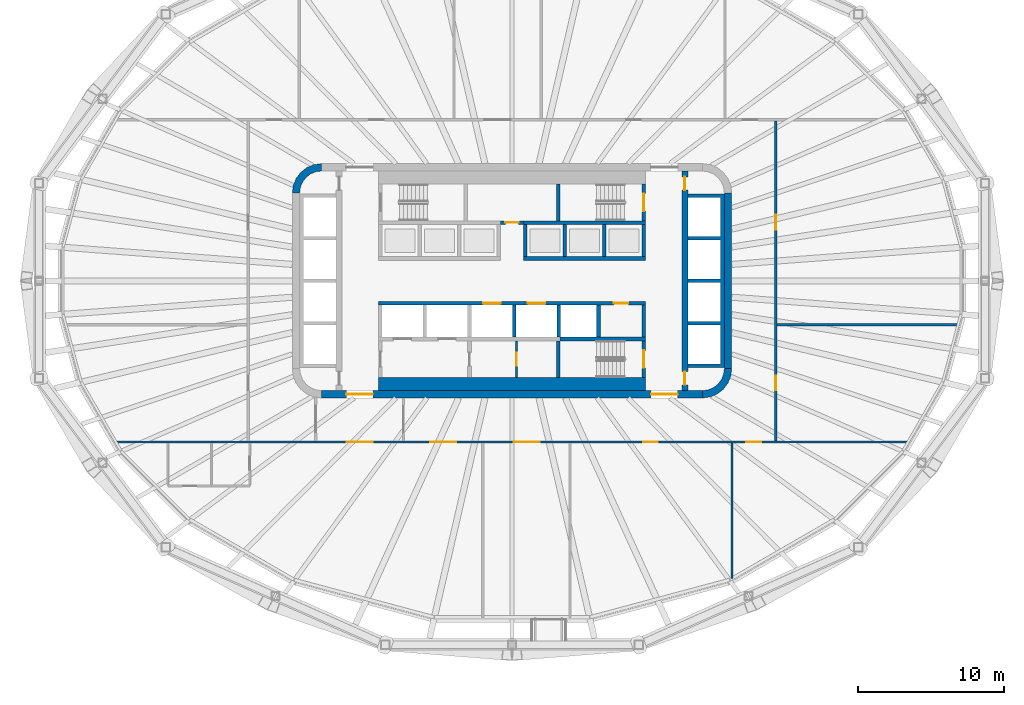
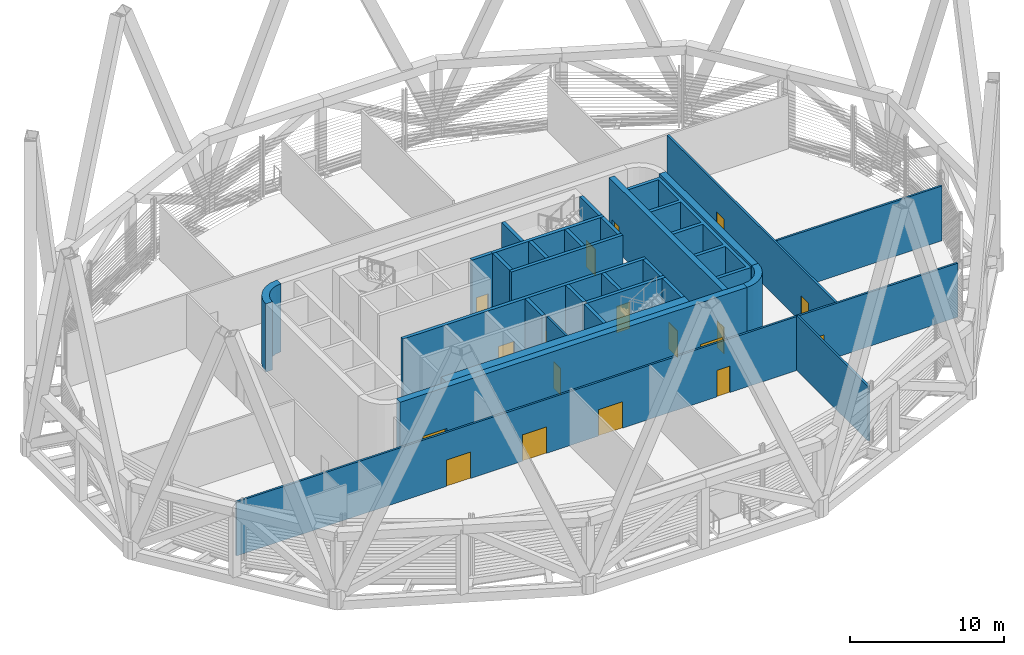
# One storey, part 7 of 18: 29 walls, 18 doors, 18 openings.
"""IFC4 building model written with IfcOpenShell, lengths in metres."""

from ifc_helpers import new_model, si_unit, direction, frame, frame_2d, origin, place, context, subcontext, project, spatial, polyline, rectangle, outline, extrude, material, layer, layer_set, type_object, element, fill, save


model = new_model("IFC4")

# Units and contexts
model_context = context("Model", 3, precision=1e-05, world=origin(), true_north=direction((0.0, 1.0)))
body_context = subcontext(model_context, "Body", "Model", "MODEL_VIEW")
ifc_project = project(units=[si_unit("LENGTHUNIT", "METRE"), si_unit("AREAUNIT", "SQUARE_METRE"), si_unit("VOLUMEUNIT", "CUBIC_METRE"), si_unit("PLANEANGLEUNIT", "RADIAN"), si_unit("MASSUNIT", "GRAM", prefix="KILO")], contexts=[model_context])

# Site, building, storey
site_placement = place(None, origin())
site = spatial("IfcSite", under=ifc_project, at=site_placement, CompositionType="ELEMENT")
building_placement = place(site_placement, origin())
building = spatial("IfcBuilding", under=site, at=building_placement, Name="Sahrelin Media Tower", CompositionType="ELEMENT")
storey_placement = place(building_placement, frame((0.0, 0.0, 197.60009765625)))
storey = spatial("IfcBuildingStorey", under=building, at=storey_placement, Name="L42", CompositionType="ELEMENT", Elevation=197.60009765625)

# Wall, openings, doors
ifc_material_1 = material(Name="Concrete C60/75", Category="concrete")
ifc_layer_1 = layer(ifc_material_1, 0.5)
ifc_layer_set_1 = layer_set([ifc_layer_1], Name="Core wall 500")
wall_type_1 = type_object("IfcWallType", Name="Core wall 500", PredefinedType="SHEAR", material=ifc_layer_set_1)
wall_1_placement = place(storey_placement, frame((-13.0, -7.75, 0.0), z_axis=(0.0, 0.0, 1.0), x_axis=(1.0, 0.0, 0.0)))
wall_1 = element("IfcWall", 1, at=wall_1_placement, inside=storey, type_object=wall_type_1, Name="Core wall S L42", PredefinedType="SHEAR", context=body_context, shape_type="SweptSolid", body=[
    extrude(rectangle(XDim=26.0, YDim=0.5, at=frame_2d((13.0, 0.0))), origin(), (0.0, 0.0, 1.0), 5.39990234375),
])
opening_1_placement = place(wall_1_placement, frame((1.699951171875, 0.0, 0.0)))
opening_1 = element("IfcOpeningElement", 2, at=opening_1_placement, cuts=wall_1, Name="Opening L42-D15", PredefinedType="OPENING", context=body_context, shape_type="SweptSolid", body=[
    extrude(rectangle(XDim=1.800048828125, YDim=2.10009765625, at=frame_2d((0.89990234375, 1.050048828125))), frame((0.0, 0.25, 0.0), z_axis=(0.0, -1.0, 0.0), x_axis=(1.0, 0.0, 0.0)), (0.0, 0.0, 1.0), 0.5),
])
opening_2_placement = place(wall_1_placement, frame((22.5, 0.0, 0.0)))
opening_2 = element("IfcOpeningElement", 3, at=opening_2_placement, cuts=wall_1, Name="Opening L42-D16", PredefinedType="OPENING", context=body_context, shape_type="SweptSolid", body=[
    extrude(rectangle(XDim=1.800048828125, YDim=2.10009765625, at=frame_2d((0.89990234375, 1.050048828125))), frame((0.0, 0.25, 0.0), z_axis=(0.0, -1.0, 0.0), x_axis=(1.0, 0.0, 0.0)), (0.0, 0.0, 1.0), 0.5),
])
ifc_material_2 = material(Name="Steel fire door leaf", Category="steel")
door_type_1 = type_object("IfcDoorType", Name="Lobby double door 1800 x 2100 EI 60", OperationType="DOUBLE_DOOR_SINGLE_SWING", PredefinedType="DOOR", material=ifc_material_2)
door_1_placement = place(opening_1_placement, origin())
door_1 = element("IfcDoor", 4, at=door_1_placement, inside=storey, type_object=door_type_1, Name="Lobby door", OperationType="DOUBLE_DOOR_SINGLE_SWING", OverallHeight=2.10009765625, OverallWidth=1.800048828125, PredefinedType="DOOR", context=body_context, shape_type="SweptSolid", body=[
    extrude(rectangle(XDim=1.800048828125, YDim=2.10009765625, at=frame_2d((0.89990234375, 1.050048828125))), frame((0.0, 0.02490234375, 0.0), z_axis=(0.0, -1.0, 0.0), x_axis=(1.0, 0.0, 0.0)), (0.0, 0.0, 1.0), 0.050048828125),
])
fill(opening_1, door_1)
door_2_placement = place(opening_2_placement, origin())
door_2 = element("IfcDoor", 5, at=door_2_placement, inside=storey, type_object=door_type_1, Name="Lobby door", OperationType="DOUBLE_DOOR_SINGLE_SWING", OverallHeight=2.10009765625, OverallWidth=1.800048828125, PredefinedType="DOOR", context=body_context, shape_type="SweptSolid", body=[
    extrude(rectangle(XDim=1.800048828125, YDim=2.10009765625, at=frame_2d((0.89990234375, 1.050048828125))), frame((0.0, 0.02490234375, 0.0), z_axis=(0.0, -1.0, 0.0), x_axis=(1.0, 0.0, 0.0)), (0.0, 0.0, 1.0), 0.050048828125),
])
fill(opening_2, door_2)

# Walls
wall_2_placement = place(storey_placement, frame((14.75, -6.0, 0.0), z_axis=(0.0, 0.0, 1.0), x_axis=(0.0, 1.0, 0.0)))
element("IfcWall", 6, at=wall_2_placement, inside=storey, type_object=wall_type_1, Name="Core wall E L42", PredefinedType="SHEAR", context=body_context, shape_type="SweptSolid", body=[
    extrude(rectangle(XDim=12.0, YDim=0.5, at=frame_2d((6.0, 0.0))), origin(), (0.0, 0.0, 1.0), 5.39990234375),
])
placement = place(storey_placement, origin())
element("IfcWall", 7, at=placement, inside=storey, type_object=wall_type_1, Name="Core wall corner NW L42", PredefinedType="SHEAR", context=body_context, shape_type="SweptSolid", body=[
    extrude(outline(polyline([(-15.0, 6.0), (-14.49560546875, 6.0), (-14.44482421875, 6.38720703125), (-14.29541015625, 6.747802734375), (-14.0576171875, 7.0576171875), (-13.747802734375, 7.29541015625), (-13.38720703125, 7.44482421875), (-13.0, 7.49560546875), (-13.0, 8.0), (-13.517578125, 7.931884765625), (-14.0, 7.732177734375), (-14.414306640625, 7.414306640625), (-14.732177734375, 7.0), (-14.931884765625, 6.517578125), (-15.0, 6.0)])), origin(), (0.0, 0.0, 1.0), 5.39990234375),
])
element("IfcWall", 8, at=placement, inside=storey, type_object=wall_type_1, Name="Core wall corner SE L42", PredefinedType="SHEAR", context=body_context, shape_type="SweptSolid", body=[
    extrude(outline(polyline([(15.0, -6.0), (14.49560546875, -6.0), (14.44482421875, -6.38720703125), (14.29541015625, -6.747802734375), (14.0576171875, -7.0576171875), (13.747802734375, -7.29541015625), (13.38720703125, -7.44482421875), (13.0, -7.49560546875), (13.0, -8.0), (13.517578125, -7.931884765625), (14.0, -7.732177734375), (14.414306640625, -7.414306640625), (14.732177734375, -7.0), (14.931884765625, -6.517578125), (15.0, -6.0)])), origin(), (0.0, 0.0, 1.0), 5.39990234375),
])

# Wall, opening, door
ifc_material_3 = material(Name="Fire-rated gypsum board partition")
ifc_layer_2 = layer(ifc_material_3, 0.25)
ifc_layer_set_2 = layer_set([ifc_layer_2], Name="Fire-rated lobby wall 250")
wall_type_2 = type_object("IfcWallType", Name="Fire-rated lobby wall 250", PredefinedType="PARTITIONING", material=ifc_layer_set_2)
wall_5_placement = place(storey_placement, frame((-0.77490234375, 3.97509765625, 0.0), z_axis=(0.0, 0.0, 1.0), x_axis=(1.0, 0.0, 0.0)))
wall_5 = element("IfcWall", 9, at=wall_5_placement, inside=storey, type_object=wall_type_2, Name="Core lobby wall", PredefinedType="PARTITIONING", context=body_context, shape_type="SweptSolid", body=[
    extrude(rectangle(XDim=1.5498046875, YDim=0.25, at=frame_2d((0.77490234375, 0.0))), origin(), (0.0, 0.0, 1.0), 5.199951171875),
])
opening_3_placement = place(wall_5_placement, frame((0.324951171875, 0.0, 0.0)))
opening_3 = element("IfcOpeningElement", 10, at=opening_3_placement, cuts=wall_5, Name="Opening L42-D06", PredefinedType="OPENING", context=body_context, shape_type="SweptSolid", body=[
    extrude(rectangle(XDim=0.89990234375, YDim=2.10009765625, at=frame_2d((0.449951171875, 1.050048828125))), frame((0.0, 0.125, 0.0), z_axis=(0.0, -1.0, 0.0), x_axis=(1.0, 0.0, 0.0)), (0.0, 0.0, 1.0), 0.25),
])
door_type_2 = type_object("IfcDoorType", Name="Riser door 900 x 2100 EI 120", OperationType="NOTDEFINED", PredefinedType="DOOR", material=ifc_material_2)
door_3_placement = place(opening_3_placement, origin())
door_3 = element("IfcDoor", 11, at=door_3_placement, inside=storey, type_object=door_type_2, Name="Core room door", OperationType="SINGLE_SWING_LEFT", OverallHeight=2.10009765625, OverallWidth=0.89990234375, PredefinedType="DOOR", context=body_context, shape_type="SweptSolid", body=[
    extrude(rectangle(XDim=0.89990234375, YDim=2.10009765625, at=frame_2d((0.449951171875, 1.050048828125))), frame((0.0, 0.02490234375, 0.0), z_axis=(0.0, -1.0, 0.0), x_axis=(1.0, 0.0, 0.0)), (0.0, 0.0, 1.0), 0.050048828125),
])
fill(opening_3, door_3)

ifc_layer_3 = layer(ifc_material_3, 0.14990234375)
ifc_layer_set_3 = layer_set([ifc_layer_3], Name="Fire-rated partition 150")
wall_type_3 = type_object("IfcWallType", Name="Fire-rated partition 150", PredefinedType="PARTITIONING", material=ifc_layer_set_3)
wall_6_placement = place(storey_placement, frame((0.300048828125, -6.60009765625, 0.0), z_axis=(0.0, 0.0, 1.0), x_axis=(0.0, 1.0, 0.0)))
wall_6 = element("IfcWall", 12, at=wall_6_placement, inside=storey, type_object=wall_type_3, Name="Core room fire partition", PredefinedType="PARTITIONING", context=body_context, shape_type="SweptSolid", body=[
    extrude(rectangle(XDim=2.5, YDim=0.14990234375, at=frame_2d((1.25, 0.0))), origin(), (0.0, 0.0, 1.0), 5.199951171875),
])
opening_4_placement = place(wall_6_placement, frame((0.800048828125, 0.0, 0.0)))
opening_4 = element("IfcOpeningElement", 13, at=opening_4_placement, cuts=wall_6, Name="Opening L42-D07", PredefinedType="OPENING", context=body_context, shape_type="SweptSolid", body=[
    extrude(rectangle(XDim=0.89990234375, YDim=2.10009765625, at=frame_2d((0.449951171875, 1.050048828125))), frame((0.0, 0.074951171875, 0.0), z_axis=(0.0, -1.0, 0.0), x_axis=(1.0, 0.0, 0.0)), (0.0, 0.0, 1.0), 0.14990234375),
])
door_type_3 = type_object("IfcDoorType", Name="Fire door 900 x 2100 EI 60", OperationType="NOTDEFINED", PredefinedType="DOOR", material=ifc_material_2)
door_4_placement = place(opening_4_placement, origin())
door_4 = element("IfcDoor", 14, at=door_4_placement, inside=storey, type_object=door_type_3, Name="Core room door", OperationType="SINGLE_SWING_RIGHT", OverallHeight=2.10009765625, OverallWidth=0.89990234375, PredefinedType="DOOR", context=body_context, shape_type="SweptSolid", body=[
    extrude(rectangle(XDim=0.89990234375, YDim=2.10009765625, at=frame_2d((0.449951171875, 1.050048828125))), frame((0.0, 0.02490234375, 0.0), z_axis=(0.0, -1.0, 0.0), x_axis=(1.0, 0.0, 0.0)), (0.0, 0.0, 1.0), 0.050048828125),
])
fill(opening_4, door_4)

# Wall, openings, doors
wall_7_placement = place(storey_placement, frame((-27.043701171875, -11.0, 0.0), z_axis=(0.0, 0.0, 1.0), x_axis=(1.0, 0.0, 0.0)))
wall_7 = element("IfcWall", 15, at=wall_7_placement, inside=storey, type_object=wall_type_3, Name="Wall", PredefinedType="PARTITIONING", context=body_context, shape_type="SweptSolid", body=[
    extrude(rectangle(XDim=54.08740234375, YDim=0.14990234375, at=frame_2d((27.043701171875, 0.0))), origin(), (0.0, 0.0, 1.0), 4.27685546875),
])
opening_5_placement = place(wall_7_placement, frame((36.0, 0.0, 0.0)))
opening_5 = element("IfcOpeningElement", 16, at=opening_5_placement, cuts=wall_7, Name="Opening L42-D21", PredefinedType="OPENING", context=body_context, shape_type="SweptSolid", body=[
    extrude(rectangle(XDim=1.0, YDim=2.10009765625, at=frame_2d((0.5, 1.050048828125))), frame((0.0, 0.074951171875, 0.0), z_axis=(0.0, -1.0, 0.0), x_axis=(1.0, 0.0, 0.0)), (0.0, 0.0, 1.0), 0.14990234375),
])
opening_6_placement = place(wall_7_placement, frame((43.050048828125, 0.0, 0.0)))
opening_6 = element("IfcOpeningElement", 17, at=opening_6_placement, cuts=wall_7, Name="Opening L42-D22", PredefinedType="OPENING", context=body_context, shape_type="SweptSolid", body=[
    extrude(rectangle(XDim=1.0, YDim=2.10009765625, at=frame_2d((0.5, 1.050048828125))), frame((0.0, 0.074951171875, 0.0), z_axis=(0.0, -1.0, 0.0), x_axis=(1.0, 0.0, 0.0)), (0.0, 0.0, 1.0), 0.14990234375),
])
opening_7_placement = place(wall_7_placement, frame((15.75, 0.0, 0.0)))
opening_7 = element("IfcOpeningElement", 18, at=opening_7_placement, cuts=wall_7, Name="Opening L42-D29", PredefinedType="OPENING", context=body_context, shape_type="SweptSolid", body=[
    extrude(rectangle(XDim=1.800048828125, YDim=2.10009765625, at=frame_2d((0.89990234375, 1.050048828125))), frame((0.0, 0.074951171875, 0.0), z_axis=(0.0, -1.0, 0.0), x_axis=(1.0, 0.0, 0.0)), (0.0, 0.0, 1.0), 0.14990234375),
])
opening_8_placement = place(wall_7_placement, frame((21.449951171875, 0.0, 0.0)))
opening_8 = element("IfcOpeningElement", 19, at=opening_8_placement, cuts=wall_7, Name="Opening L42-D30", PredefinedType="OPENING", context=body_context, shape_type="SweptSolid", body=[
    extrude(rectangle(XDim=1.800048828125, YDim=2.10009765625, at=frame_2d((0.89990234375, 1.050048828125))), frame((0.0, 0.074951171875, 0.0), z_axis=(0.0, -1.0, 0.0), x_axis=(1.0, 0.0, 0.0)), (0.0, 0.0, 1.0), 0.14990234375),
])
opening_9_placement = place(wall_7_placement, frame((27.14990234375, 0.0, 0.0)))
opening_9 = element("IfcOpeningElement", 20, at=opening_9_placement, cuts=wall_7, Name="Opening L42-D34", PredefinedType="OPENING", context=body_context, shape_type="SweptSolid", body=[
    extrude(rectangle(XDim=1.800048828125, YDim=2.10009765625, at=frame_2d((0.89990234375, 1.050048828125))), frame((0.0, 0.074951171875, 0.0), z_axis=(0.0, -1.0, 0.0), x_axis=(1.0, 0.0, 0.0)), (0.0, 0.0, 1.0), 0.14990234375),
])
door_type_4 = type_object("IfcDoorType", Name="Fire door 1000 x 2100 EI 60", OperationType="NOTDEFINED", PredefinedType="DOOR", material=ifc_material_2)
door_5_placement = place(opening_5_placement, origin())
door_5 = element("IfcDoor", 21, at=door_5_placement, inside=storey, type_object=door_type_4, Name="Fire door", OperationType="SINGLE_SWING_RIGHT", OverallHeight=2.10009765625, OverallWidth=1.0, PredefinedType="DOOR", context=body_context, shape_type="SweptSolid", body=[
    extrude(rectangle(XDim=1.0, YDim=2.10009765625, at=frame_2d((0.5, 1.050048828125))), frame((0.0, 0.02490234375, 0.0), z_axis=(0.0, -1.0, 0.0), x_axis=(1.0, 0.0, 0.0)), (0.0, 0.0, 1.0), 0.050048828125),
])
fill(opening_5, door_5)
door_6_placement = place(opening_6_placement, origin())
door_6 = element("IfcDoor", 22, at=door_6_placement, inside=storey, type_object=door_type_4, Name="Fire door", OperationType="SINGLE_SWING_RIGHT", OverallHeight=2.10009765625, OverallWidth=1.0, PredefinedType="DOOR", context=body_context, shape_type="SweptSolid", body=[
    extrude(rectangle(XDim=1.0, YDim=2.10009765625, at=frame_2d((0.5, 1.050048828125))), frame((0.0, 0.02490234375, 0.0), z_axis=(0.0, -1.0, 0.0), x_axis=(1.0, 0.0, 0.0)), (0.0, 0.0, 1.0), 0.050048828125),
])
fill(opening_6, door_6)
door_7_placement = place(opening_7_placement, origin())
door_7 = element("IfcDoor", 23, at=door_7_placement, inside=storey, type_object=door_type_1, Name="Lobby double door", OperationType="DOUBLE_DOOR_SINGLE_SWING", OverallHeight=2.10009765625, OverallWidth=1.800048828125, PredefinedType="DOOR", context=body_context, shape_type="SweptSolid", body=[
    extrude(rectangle(XDim=1.800048828125, YDim=2.10009765625, at=frame_2d((0.89990234375, 1.050048828125))), frame((0.0, 0.02490234375, 0.0), z_axis=(0.0, -1.0, 0.0), x_axis=(1.0, 0.0, 0.0)), (0.0, 0.0, 1.0), 0.050048828125),
])
fill(opening_7, door_7)
door_type_5 = type_object("IfcDoorType", Name="Service double door 1800 x 2100 EI 60", OperationType="DOUBLE_DOOR_SINGLE_SWING", PredefinedType="DOOR", material=ifc_material_2)
door_8_placement = place(opening_8_placement, origin())
door_8 = element("IfcDoor", 24, at=door_8_placement, inside=storey, type_object=door_type_5, Name="Service double door", OperationType="DOUBLE_DOOR_SINGLE_SWING", OverallHeight=2.10009765625, OverallWidth=1.800048828125, PredefinedType="DOOR", context=body_context, shape_type="SweptSolid", body=[
    extrude(rectangle(XDim=1.800048828125, YDim=2.10009765625, at=frame_2d((0.89990234375, 1.050048828125))), frame((0.0, 0.02490234375, 0.0), z_axis=(0.0, -1.0, 0.0), x_axis=(1.0, 0.0, 0.0)), (0.0, 0.0, 1.0), 0.050048828125),
])
fill(opening_8, door_8)
door_9_placement = place(opening_9_placement, origin())
door_9 = element("IfcDoor", 25, at=door_9_placement, inside=storey, type_object=door_type_5, Name="Service double door", OperationType="DOUBLE_DOOR_SINGLE_SWING", OverallHeight=2.10009765625, OverallWidth=1.800048828125, PredefinedType="DOOR", context=body_context, shape_type="SweptSolid", body=[
    extrude(rectangle(XDim=1.800048828125, YDim=2.10009765625, at=frame_2d((0.89990234375, 1.050048828125))), frame((0.0, 0.02490234375, 0.0), z_axis=(0.0, -1.0, 0.0), x_axis=(1.0, 0.0, 0.0)), (0.0, 0.0, 1.0), 0.050048828125),
])
fill(opening_9, door_9)

wall_8_placement = place(storey_placement, frame((18.0, -10.925048828125, 0.0), z_axis=(0.0, 0.0, 1.0), x_axis=(0.0, 1.0, 0.0)))
wall_8 = element("IfcWall", 26, at=wall_8_placement, inside=storey, type_object=wall_type_3, Name="Wall", PredefinedType="PARTITIONING", context=body_context, shape_type="SweptSolid", body=[
    extrude(rectangle(XDim=21.85009765625, YDim=0.14990234375, at=frame_2d((10.925048828125, 0.0))), origin(), (0.0, 0.0, 1.0), 4.27685546875),
])
opening_10_placement = place(wall_8_placement, frame((3.449951171875, 0.0, 0.0)))
opening_10 = element("IfcOpeningElement", 27, at=opening_10_placement, cuts=wall_8, Name="Opening L42-D23", PredefinedType="OPENING", context=body_context, shape_type="SweptSolid", body=[
    extrude(rectangle(XDim=1.0, YDim=2.10009765625, at=frame_2d((0.5, 1.050048828125))), frame((0.0, 0.074951171875, 0.0), z_axis=(0.0, -1.0, 0.0), x_axis=(1.0, 0.0, 0.0)), (0.0, 0.0, 1.0), 0.14990234375),
])
opening_11_placement = place(wall_8_placement, frame((14.425048828125, 0.0, 0.0)))
opening_11 = element("IfcOpeningElement", 28, at=opening_11_placement, cuts=wall_8, Name="Opening L42-D24", PredefinedType="OPENING", context=body_context, shape_type="SweptSolid", body=[
    extrude(rectangle(XDim=1.0, YDim=2.10009765625, at=frame_2d((0.5, 1.050048828125))), frame((0.0, 0.074951171875, 0.0), z_axis=(0.0, -1.0, 0.0), x_axis=(1.0, 0.0, 0.0)), (0.0, 0.0, 1.0), 0.14990234375),
])
door_10_placement = place(opening_10_placement, origin())
door_10 = element("IfcDoor", 29, at=door_10_placement, inside=storey, type_object=door_type_4, Name="Fire door", OperationType="SINGLE_SWING_LEFT", OverallHeight=2.10009765625, OverallWidth=1.0, PredefinedType="DOOR", context=body_context, shape_type="SweptSolid", body=[
    extrude(rectangle(XDim=1.0, YDim=2.10009765625, at=frame_2d((0.5, 1.050048828125))), frame((0.0, 0.02490234375, 0.0), z_axis=(0.0, -1.0, 0.0), x_axis=(1.0, 0.0, 0.0)), (0.0, 0.0, 1.0), 0.050048828125),
])
fill(opening_10, door_10)
door_11_placement = place(opening_11_placement, origin())
door_11 = element("IfcDoor", 30, at=door_11_placement, inside=storey, type_object=door_type_4, Name="Fire door", OperationType="SINGLE_SWING_RIGHT", OverallHeight=2.10009765625, OverallWidth=1.0, PredefinedType="DOOR", context=body_context, shape_type="SweptSolid", body=[
    extrude(rectangle(XDim=1.0, YDim=2.10009765625, at=frame_2d((0.5, 1.050048828125))), frame((0.0, 0.02490234375, 0.0), z_axis=(0.0, -1.0, 0.0), x_axis=(1.0, 0.0, 0.0)), (0.0, 0.0, 1.0), 0.050048828125),
])
fill(opening_11, door_11)

# Walls
wall_9_placement = place(storey_placement, frame((15.024658203125, -11.074951171875, 0.0), z_axis=(0.0, 0.0, 1.0), x_axis=(0.0, -1.0, 0.0)))
element("IfcWall", 31, at=wall_9_placement, inside=storey, type_object=wall_type_3, Name="Wall", PredefinedType="PARTITIONING", context=body_context, shape_type="SweptSolid", body=[
    extrude(rectangle(XDim=9.244140625, YDim=0.14990234375, at=frame_2d((4.6220703125, 0.0))), origin(), (0.0, 0.0, 1.0), 4.344970703125),
])
wall_10_placement = place(storey_placement, frame((18.074951171875, -3.0, 0.0), z_axis=(0.0, 0.0, 1.0), x_axis=(1.0, 0.0, 0.0)))
element("IfcWall", 32, at=wall_10_placement, inside=storey, type_object=wall_type_3, Name="Wall", PredefinedType="PARTITIONING", context=body_context, shape_type="SweptSolid", body=[
    extrude(rectangle(XDim=12.382568359375, YDim=0.14990234375, at=frame_2d((6.19140625, 0.0))), origin(), (0.0, 0.0, 1.0), 4.344970703125),
])
ifc_layer_4 = layer(ifc_material_1, 0.25)
ifc_layer_set_4 = layer_set([ifc_layer_4], Name="Lift shaft wall 250")
wall_type_4 = type_object("IfcWallType", Name="Lift shaft wall 250", PredefinedType="SOLIDWALL", material=ifc_layer_set_4)
for number, where, z_axis, x_axis, name in (
    (33, (0.77490234375, 1.52490234375, 0.0), (0.0, 0.0, 1.0), (1.0, 0.0, 0.0), "Lift shaft wall"),
    (34, (0.77490234375, 3.97509765625, 0.0), (0.0, 0.0, 1.0), (1.0, 0.0, 0.0), "Lift shaft wall"),
):
    element("IfcWall", number, at=place(storey_placement, frame(where, z_axis=z_axis, x_axis=x_axis)), inside=storey, type_object=wall_type_4, Name=name, PredefinedType="SOLIDWALL", context=body_context, shape_type="SweptSolid", body=[
        extrude(rectangle(XDim=8.35009765625, YDim=0.25, at=frame_2d((4.175048828125, 0.0))), origin(), (0.0, 0.0, 1.0), 5.199951171875),
    ])
for number, where, z_axis, x_axis, name in (
    (35, (9.0, 1.64990234375, 0.0), (0.0, 0.0, 1.0), (0.0, 1.0, 0.0), "Lift shaft wall"),
    (36, (6.300048828125, 1.64990234375, 0.0), (0.0, 0.0, 1.0), (0.0, 1.0, 0.0), "Lift shaft wall"),
    (37, (3.60009765625, 1.64990234375, 0.0), (0.0, 0.0, 1.0), (0.0, 1.0, 0.0), "Lift shaft wall"),
    (38, (0.89990234375, 1.64990234375, 0.0), (0.0, 0.0, 1.0), (0.0, 1.0, 0.0), "Lift shaft wall"),
):
    element("IfcWall", number, at=place(storey_placement, frame(where, z_axis=z_axis, x_axis=x_axis)), inside=storey, type_object=wall_type_4, Name=name, PredefinedType="SOLIDWALL", context=body_context, shape_type="SweptSolid", body=[
        extrude(rectangle(XDim=2.2001953125, YDim=0.25, at=frame_2d((1.10009765625, 0.0))), origin(), (0.0, 0.0, 1.0), 5.199951171875),
    ])

# Wall, openings, doors
wall_11_placement = place(storey_placement, frame((-9.125, -1.52490234375, 0.0), z_axis=(0.0, 0.0, 1.0), x_axis=(1.0, 0.0, 0.0)))
wall_11 = element("IfcWall", 39, at=wall_11_placement, inside=storey, type_object=wall_type_4, Name="Lift shaft wall", PredefinedType="SOLIDWALL", context=body_context, shape_type="SweptSolid", body=[
    extrude(rectangle(XDim=18.25, YDim=0.25, at=frame_2d((9.125, 0.0))), origin(), (0.0, 0.0, 1.0), 5.199951171875),
])
opening_12_placement = place(wall_11_placement, frame((7.14990234375, 0.0, 0.0)))
opening_12 = element("IfcOpeningElement", 40, at=opening_12_placement, cuts=wall_11, Name="Opening L42-LD-SV1", PredefinedType="OPENING", context=body_context, shape_type="SweptSolid", body=[
    extrude(rectangle(XDim=1.199951171875, YDim=2.10009765625, at=frame_2d((0.60009765625, 1.050048828125))), frame((0.0, 0.125, 0.0), z_axis=(0.0, -1.0, 0.0), x_axis=(1.0, 0.0, 0.0)), (0.0, 0.0, 1.0), 0.25),
])
opening_13_placement = place(wall_11_placement, frame((10.199951171875, 0.0, 0.0)))
opening_13 = element("IfcOpeningElement", 41, at=opening_13_placement, cuts=wall_11, Name="Opening L42-LD-SV2", PredefinedType="OPENING", context=body_context, shape_type="SweptSolid", body=[
    extrude(rectangle(XDim=1.199951171875, YDim=2.10009765625, at=frame_2d((0.60009765625, 1.050048828125))), frame((0.0, 0.125, 0.0), z_axis=(0.0, -1.0, 0.0), x_axis=(1.0, 0.0, 0.0)), (0.0, 0.0, 1.0), 0.25),
])
opening_14_placement = place(wall_11_placement, frame((16.074951171875, 0.0, 0.0)))
opening_14 = element("IfcOpeningElement", 42, at=opening_14_placement, cuts=wall_11, Name="Opening L42-D08", PredefinedType="OPENING", context=body_context, shape_type="SweptSolid", body=[
    extrude(rectangle(XDim=1.0, YDim=2.10009765625, at=frame_2d((0.5, 1.050048828125))), frame((0.0, 0.125, 0.0), z_axis=(0.0, -1.0, 0.0), x_axis=(1.0, 0.0, 0.0)), (0.0, 0.0, 1.0), 0.25),
])
door_12_placement = place(opening_14_placement, origin())
door_12 = element("IfcDoor", 43, at=door_12_placement, inside=storey, type_object=door_type_4, Name="Core room door", OperationType="SINGLE_SWING_RIGHT", OverallHeight=2.10009765625, OverallWidth=1.0, PredefinedType="DOOR", context=body_context, shape_type="SweptSolid", body=[
    extrude(rectangle(XDim=1.0, YDim=2.10009765625, at=frame_2d((0.5, 1.050048828125))), frame((0.0, 0.02490234375, 0.0), z_axis=(0.0, -1.0, 0.0), x_axis=(1.0, 0.0, 0.0)), (0.0, 0.0, 1.0), 0.050048828125),
])
fill(opening_14, door_12)
ifc_material_4 = material(Name="Stainless steel", Category="steel")
door_type_6 = type_object("IfcDoorType", Name="Lift landing door 1200 x 2100 EI 120", OperationType="DOUBLE_DOOR_SLIDING", PredefinedType="DOOR", material=ifc_material_4)
door_13_placement = place(opening_12_placement, origin())
door_13 = element("IfcDoor", 44, at=door_13_placement, inside=storey, type_object=door_type_6, Name="Lift landing door SV1", OperationType="DOUBLE_DOOR_SLIDING", OverallHeight=2.10009765625, OverallWidth=1.199951171875, PredefinedType="DOOR", context=body_context, shape_type="SweptSolid", body=[
    extrude(rectangle(XDim=1.199951171875, YDim=2.10009765625, at=frame_2d((0.60009765625, 1.050048828125))), frame((0.0, 0.02490234375, 0.0), z_axis=(0.0, -1.0, 0.0), x_axis=(1.0, 0.0, 0.0)), (0.0, 0.0, 1.0), 0.050048828125),
])
fill(opening_12, door_13)
door_14_placement = place(opening_13_placement, origin())
door_14 = element("IfcDoor", 45, at=door_14_placement, inside=storey, type_object=door_type_6, Name="Lift landing door SV2", OperationType="DOUBLE_DOOR_SLIDING", OverallHeight=2.10009765625, OverallWidth=1.199951171875, PredefinedType="DOOR", context=body_context, shape_type="SweptSolid", body=[
    extrude(rectangle(XDim=1.199951171875, YDim=2.10009765625, at=frame_2d((0.60009765625, 1.050048828125))), frame((0.0, 0.02490234375, 0.0), z_axis=(0.0, -1.0, 0.0), x_axis=(1.0, 0.0, 0.0)), (0.0, 0.0, 1.0), 0.050048828125),
])
fill(opening_13, door_14)

# Walls
wall_12_placement = place(storey_placement, frame((3.27490234375, -3.97509765625, 0.0), z_axis=(0.0, 0.0, 1.0), x_axis=(1.0, 0.0, 0.0)))
element("IfcWall", 46, at=wall_12_placement, inside=storey, type_object=wall_type_4, Name="Lift shaft wall", PredefinedType="SOLIDWALL", context=body_context, shape_type="SweptSolid", body=[
    extrude(rectangle(XDim=5.85009765625, YDim=0.25, at=frame_2d((2.925048828125, 0.0))), origin(), (0.0, 0.0, 1.0), 5.199951171875),
])
for number, where, z_axis, x_axis, name in (
    (47, (0.14990234375, -3.85009765625, 0.0), (0.0, 0.0, 1.0), (0.0, 1.0, 0.0), "Lift shaft wall"),
    (48, (3.199951171875, -3.85009765625, 0.0), (0.0, 0.0, 1.0), (0.0, 1.0, 0.0), "Lift shaft wall"),
    (49, (5.89990234375, -3.85009765625, 0.0), (0.0, 0.0, 1.0), (0.0, 1.0, 0.0), "Lift shaft wall"),
    (50, (9.0, -3.85009765625, 0.0), (0.0, 0.0, 1.0), (0.0, 1.0, 0.0), "Lift shaft wall"),
):
    element("IfcWall", number, at=place(storey_placement, frame(where, z_axis=z_axis, x_axis=x_axis)), inside=storey, type_object=wall_type_4, Name=name, PredefinedType="SOLIDWALL", context=body_context, shape_type="SweptSolid", body=[
        extrude(rectangle(XDim=2.2001953125, YDim=0.25, at=frame_2d((1.10009765625, 0.0))), origin(), (0.0, 0.0, 1.0), 5.199951171875),
    ])
element("IfcWall", 51, at=placement, inside=storey, type_object=wall_type_4, Name="Lift shaft wall", PredefinedType="SOLIDWALL", context=body_context, shape_type="SweptSolid", body=[
    extrude(outline(polyline([(12.0, -5.675048828125), (12.0, -5.925048828125), (14.25, -5.925048828125), (14.5, -5.925048828125), (14.5, -5.675048828125), (14.5, -3.02490234375), (14.5, -2.77490234375), (14.5, -0.125), (14.5, 0.125), (14.5, 2.77490234375), (14.5, 3.02490234375), (14.5, 5.675048828125), (14.5, 5.925048828125), (14.25, 5.925048828125), (12.0, 5.925048828125), (12.0, 5.675048828125), (14.25, 5.675048828125), (14.25, 3.02490234375), (12.0, 3.02490234375), (12.0, 2.77490234375), (14.25, 2.77490234375), (14.25, 0.125), (12.0, 0.125), (12.0, -0.125), (14.25, -0.125), (14.25, -2.77490234375), (12.0, -2.77490234375), (12.0, -3.02490234375), (14.25, -3.02490234375), (14.25, -5.675048828125), (12.0, -5.675048828125)])), origin(), (0.0, 0.0, 1.0), 5.199951171875),
])

# Wall, openings, doors
ifc_layer_5 = layer(ifc_material_1, 0.39990234375)
ifc_layer_set_5 = layer_set([ifc_layer_5], Name="Lift shaft wall 400")
wall_type_5 = type_object("IfcWallType", Name="Lift shaft wall 400", PredefinedType="SOLIDWALL", material=ifc_layer_set_5)
wall_14_placement = place(storey_placement, frame((11.800048828125, -7.5, 0.0), z_axis=(0.0, 0.0, 1.0), x_axis=(0.0, 1.0, 0.0)))
wall_14 = element("IfcWall", 52, at=wall_14_placement, inside=storey, type_object=wall_type_5, Name="Lift shaft wall", PredefinedType="SOLIDWALL", context=body_context, shape_type="SweptSolid", body=[
    extrude(rectangle(XDim=15.0, YDim=0.39990234375, at=frame_2d((7.5, 0.0))), origin(), (0.0, 0.0, 1.0), 5.199951171875),
])
opening_15_placement = place(wall_14_placement, frame((13.696533203125, 0.0, 0.0)))
opening_15 = element("IfcOpeningElement", 53, at=opening_15_placement, cuts=wall_14, Name="Opening L42-D11", PredefinedType="OPENING", context=body_context, shape_type="SweptSolid", body=[
    extrude(rectangle(XDim=0.89990234375, YDim=2.10009765625, at=frame_2d((0.449951171875, 1.050048828125))), frame((0.0, 0.199951171875, 0.0), z_axis=(0.0, -1.0, 0.0), x_axis=(1.0, 0.0, 0.0)), (0.0, 0.0, 1.0), 0.39990234375),
])
opening_16_placement = place(wall_14_placement, frame((0.4033203125, 0.0, 0.0)))
opening_16 = element("IfcOpeningElement", 54, at=opening_16_placement, cuts=wall_14, Name="Opening L42-D12", PredefinedType="OPENING", context=body_context, shape_type="SweptSolid", body=[
    extrude(rectangle(XDim=0.89990234375, YDim=2.10009765625, at=frame_2d((0.449951171875, 1.050048828125))), frame((0.0, 0.199951171875, 0.0), z_axis=(0.0, -1.0, 0.0), x_axis=(1.0, 0.0, 0.0)), (0.0, 0.0, 1.0), 0.39990234375),
])
door_15_placement = place(opening_15_placement, origin())
door_15 = element("IfcDoor", 55, at=door_15_placement, inside=storey, type_object=door_type_2, Name="Riser door", OperationType="SINGLE_SWING_RIGHT", OverallHeight=2.10009765625, OverallWidth=0.89990234375, PredefinedType="DOOR", context=body_context, shape_type="SweptSolid", body=[
    extrude(rectangle(XDim=0.89990234375, YDim=2.10009765625, at=frame_2d((0.449951171875, 1.050048828125))), frame((0.0, 0.02490234375, 0.0), z_axis=(0.0, -1.0, 0.0), x_axis=(1.0, 0.0, 0.0)), (0.0, 0.0, 1.0), 0.050048828125),
])
fill(opening_15, door_15)
door_16_placement = place(opening_16_placement, origin())
door_16 = element("IfcDoor", 56, at=door_16_placement, inside=storey, type_object=door_type_2, Name="Riser door", OperationType="SINGLE_SWING_RIGHT", OverallHeight=2.10009765625, OverallWidth=0.89990234375, PredefinedType="DOOR", context=body_context, shape_type="SweptSolid", body=[
    extrude(rectangle(XDim=0.89990234375, YDim=2.10009765625, at=frame_2d((0.449951171875, 1.050048828125))), frame((0.0, 0.02490234375, 0.0), z_axis=(0.0, -1.0, 0.0), x_axis=(1.0, 0.0, 0.0)), (0.0, 0.0, 1.0), 0.050048828125),
])
fill(opening_16, door_16)

# Wall, opening, door
ifc_layer_6 = layer(ifc_material_1, 0.25)
ifc_layer_set_6 = layer_set([ifc_layer_6], Name="Stair enclosure wall 250")
wall_type_6 = type_object("IfcWallType", Name="Stair enclosure wall 250", PredefinedType="SOLIDWALL", material=ifc_layer_set_6)
wall_15_placement = place(storey_placement, frame((9.0, 4.10009765625, 0.0), z_axis=(0.0, 0.0, 1.0), x_axis=(0.0, 1.0, 0.0)))
wall_15 = element("IfcWall", 57, at=wall_15_placement, inside=storey, type_object=wall_type_6, Name="Stair enclosure wall", PredefinedType="SOLIDWALL", context=body_context, shape_type="SweptSolid", body=[
    extrude(rectangle(XDim=2.5, YDim=0.25, at=frame_2d((1.25, 0.0))), origin(), (0.0, 0.0, 1.0), 5.199951171875),
])
opening_17_placement = place(wall_15_placement, frame((0.64990234375, 0.0, 0.0)))
opening_17 = element("IfcOpeningElement", 58, at=opening_17_placement, cuts=wall_15, Name="Opening L42-D02", PredefinedType="OPENING", context=body_context, shape_type="SweptSolid", body=[
    extrude(rectangle(XDim=1.199951171875, YDim=2.10009765625, at=frame_2d((0.60009765625, 1.050048828125))), frame((0.0, 0.125, 0.0), z_axis=(0.0, -1.0, 0.0), x_axis=(1.0, 0.0, 0.0)), (0.0, 0.0, 1.0), 0.25),
])
door_type_7 = type_object("IfcDoorType", Name="Stair door 1200 x 2100 EI 120", OperationType="NOTDEFINED", PredefinedType="DOOR", material=ifc_material_2)
door_17_placement = place(opening_17_placement, origin())
door_17 = element("IfcDoor", 59, at=door_17_placement, inside=storey, type_object=door_type_7, Name="Stair door ST3", OperationType="SINGLE_SWING_LEFT", OverallHeight=2.10009765625, OverallWidth=1.199951171875, PredefinedType="DOOR", context=body_context, shape_type="SweptSolid", body=[
    extrude(rectangle(XDim=1.199951171875, YDim=2.10009765625, at=frame_2d((0.60009765625, 1.050048828125))), frame((0.0, 0.02490234375, 0.0), z_axis=(0.0, -1.0, 0.0), x_axis=(1.0, 0.0, 0.0)), (0.0, 0.0, 1.0), 0.050048828125),
])
fill(opening_17, door_17)

wall_16_placement = place(storey_placement, frame((9.0, -6.60009765625, 0.0), z_axis=(0.0, 0.0, 1.0), x_axis=(0.0, 1.0, 0.0)))
wall_16 = element("IfcWall", 60, at=wall_16_placement, inside=storey, type_object=wall_type_6, Name="Stair enclosure wall", PredefinedType="SOLIDWALL", context=body_context, shape_type="SweptSolid", body=[
    extrude(rectangle(XDim=2.5, YDim=0.25, at=frame_2d((1.25, 0.0))), origin(), (0.0, 0.0, 1.0), 5.199951171875),
])
opening_18_placement = place(wall_16_placement, frame((0.64990234375, 0.0, 0.0)))
opening_18 = element("IfcOpeningElement", 61, at=opening_18_placement, cuts=wall_16, Name="Opening L42-D03", PredefinedType="OPENING", context=body_context, shape_type="SweptSolid", body=[
    extrude(rectangle(XDim=1.199951171875, YDim=2.10009765625, at=frame_2d((0.60009765625, 1.050048828125))), frame((0.0, 0.125, 0.0), z_axis=(0.0, -1.0, 0.0), x_axis=(1.0, 0.0, 0.0)), (0.0, 0.0, 1.0), 0.25),
])
door_18_placement = place(opening_18_placement, origin())
door_18 = element("IfcDoor", 62, at=door_18_placement, inside=storey, type_object=door_type_7, Name="Stair door ST2", OperationType="SINGLE_SWING_LEFT", OverallHeight=2.10009765625, OverallWidth=1.199951171875, PredefinedType="DOOR", context=body_context, shape_type="SweptSolid", body=[
    extrude(rectangle(XDim=1.199951171875, YDim=2.10009765625, at=frame_2d((0.60009765625, 1.050048828125))), frame((0.0, 0.02490234375, 0.0), z_axis=(0.0, -1.0, 0.0), x_axis=(1.0, 0.0, 0.0)), (0.0, 0.0, 1.0), 0.050048828125),
])
fill(opening_18, door_18)

# Walls
for number, where, z_axis, x_axis, name in (
    (63, (3.14990234375, 4.10009765625, 0.0), (0.0, 0.0, 1.0), (0.0, 1.0, 0.0), "Stair enclosure wall"),
    (64, (3.14990234375, -6.60009765625, 0.0), (0.0, 0.0, 1.0), (0.0, 1.0, 0.0), "Stair enclosure wall"),
):
    element("IfcWall", number, at=place(storey_placement, frame(where, z_axis=z_axis, x_axis=x_axis)), inside=storey, type_object=wall_type_6, Name=name, PredefinedType="SOLIDWALL", context=body_context, shape_type="SweptSolid", body=[
        extrude(rectangle(XDim=2.5, YDim=0.25, at=frame_2d((1.25, 0.0))), origin(), (0.0, 0.0, 1.0), 5.199951171875),
    ])
ifc_layer_7 = layer(ifc_material_1, 0.89990234375)
ifc_layer_set_7 = layer_set([ifc_layer_7], Name="Stair enclosure wall 900")
wall_type_7 = type_object("IfcWallType", Name="Stair enclosure wall 900", PredefinedType="SOLIDWALL", material=ifc_layer_set_7)
wall_17_placement = place(storey_placement, frame((-9.125, -7.050048828125, 0.0), z_axis=(0.0, 0.0, 1.0), x_axis=(1.0, 0.0, 0.0)))
element("IfcWall", 65, at=wall_17_placement, inside=storey, type_object=wall_type_7, Name="Stair enclosure wall", PredefinedType="SOLIDWALL", context=body_context, shape_type="SweptSolid", body=[
    extrude(rectangle(XDim=18.25, YDim=0.89990234375, at=frame_2d((9.125, 0.0))), origin(), (0.0, 0.0, 1.0), 5.199951171875),
])

save(model, "model.ifc")
